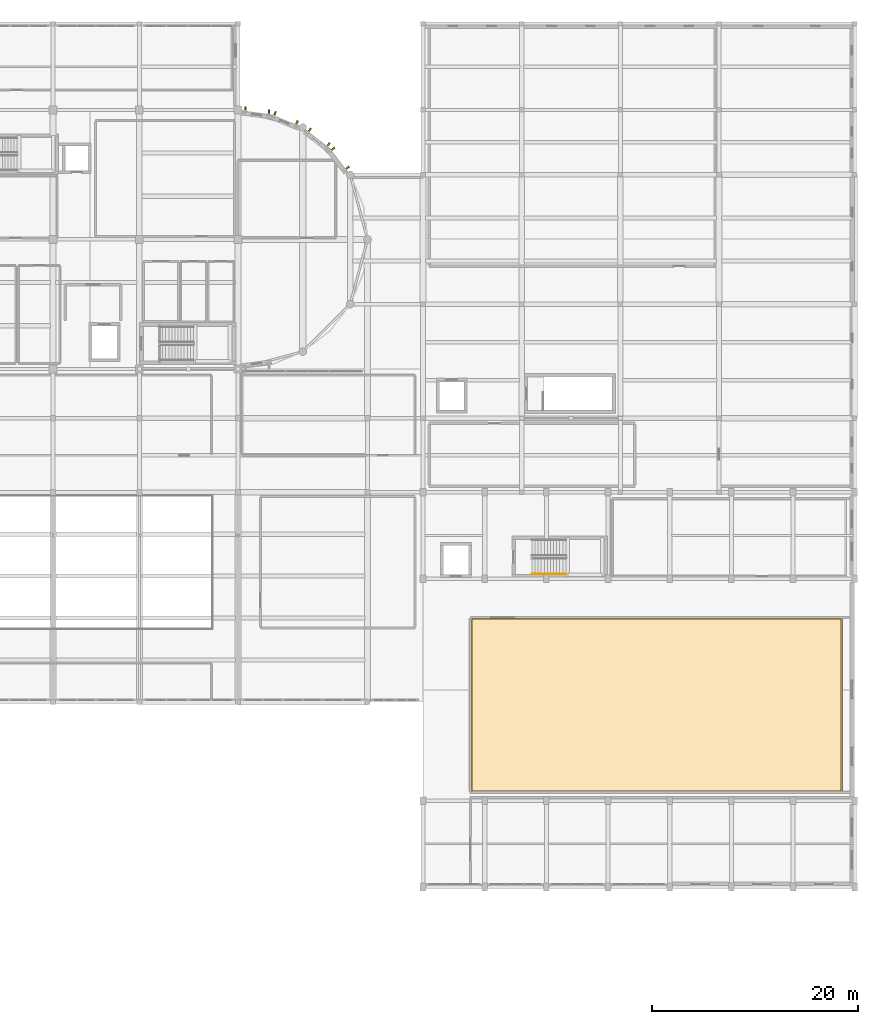
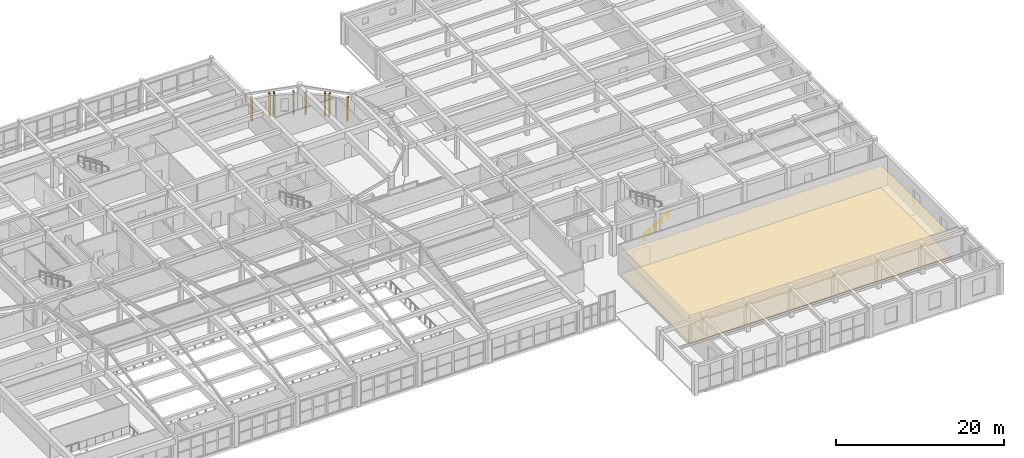
# One storey, part 90 of 91: 10 coverings, 1 railing.
"""IFC4 building model written with IfcOpenShell, lengths in metres."""

import ifcopenshell
import ifcopenshell.guid

model = None  # the IFC model being written
_history = None  # IfcOwnerHistory: only IFC2X3 demands one
_inside = {}  # id of a spatial element -> (the spatial element, [elements in it])
_under = {}  # id of a project, library or spatial element -> (it, [spatial elements below it])
_declared = {}  # id of a project -> (the project, [libraries it declares])
_typed = {}  # id of a type object -> (the type object, [elements of that type])
_made_of = {}  # id of a material, layer set ... -> (it, [elements and type objects made of it])


def new_model(schema):
    """Start an empty IFC model of exactly this schema.

    Asked for "IFC4X3", IfcOpenShell would pick the latest addendum, in which some entities
    have other attributes; the version numbers below select the first issue.
    IFC2X3 requires an IfcOwnerHistory on every rooted entity: one is made here for all.
    """
    global model, _history
    if schema == "IFC4X3":
        model = ifcopenshell.file(schema_version=(4, 3, 0, 0))
    else:
        model = ifcopenshell.file(schema=schema)
    _inside.clear()
    _under.clear()
    _declared.clear()
    _typed.clear()
    _made_of.clear()
    _history = None
    if model.schema == "IFC2X3":
        org = make("IfcOrganization", Name="unknown")
        user = make(
            "IfcPersonAndOrganization",
            ThePerson=make("IfcPerson", FamilyName="unknown"),
            TheOrganization=org,
        )
        app = make(
            "IfcApplication",
            ApplicationDeveloper=org,
            Version="unknown",
            ApplicationFullName="unknown",
            ApplicationIdentifier="unknown",
        )
        _history = make(
            "IfcOwnerHistory",
            OwningUser=user,
            OwningApplication=app,
            ChangeAction="ADDED",
            CreationDate=0,
        )
    return model


def make(cls, **values):
    """One entity of the class cls with the attributes given. An attribute that is None is left unset."""
    return model.create_entity(
        cls, **{name: value for name, value in values.items() if value is not None}
    )


def rooted(cls, **values):
    """An entity with a GlobalId (a new one), such as an element, a storey or a relation."""
    return make(cls, GlobalId=ifcopenshell.guid.new(), OwnerHistory=_history, **values)


def si_unit(unit_type, name, prefix=None):
    """IfcSIUnit, for example si_unit("LENGTHUNIT", "METRE", prefix="MILLI")."""
    return make("IfcSIUnit", UnitType=unit_type, Prefix=prefix, Name=name)


def assignment(units):
    """IfcUnitAssignment: the units of a project."""
    return None if units is None else make("IfcUnitAssignment", Units=units)


def point(xyz):
    """IfcCartesianPoint."""
    return None if xyz is None else make("IfcCartesianPoint", Coordinates=xyz)


def direction(xyz):
    """IfcDirection."""
    return None if xyz is None else make("IfcDirection", DirectionRatios=xyz)


def frame(location, z_axis=None, x_axis=None):
    """IfcAxis2Placement3D, a coordinate frame: its origin and axes. An axis left out is left unset."""
    return make(
        "IfcAxis2Placement3D",
        Location=point(location),
        Axis=direction(z_axis),
        RefDirection=direction(x_axis),
    )


def frame_2d(location, x_axis=None):
    """IfcAxis2Placement2D, a coordinate frame in the plane: its origin and x axis."""
    return make(
        "IfcAxis2Placement2D", Location=point(location), RefDirection=direction(x_axis)
    )


def origin():
    """The frame at (0, 0, 0) with its axes left unset."""
    return frame((0.0, 0.0, 0.0))


def origin_2d():
    """The frame at (0, 0) in the plane with its x axis left unset."""
    return frame_2d((0.0, 0.0))


def place(relative_to, where):
    """IfcLocalPlacement: puts the frame where relative to a parent placement (None: the world)."""
    return make(
        "IfcLocalPlacement", PlacementRelTo=relative_to, RelativePlacement=where
    )


def context(
    kind, dimensions, precision=None, world=None, true_north=None, identifier=None
):
    """IfcGeometricRepresentationContext, for example the 3D "Model" context."""
    return make(
        "IfcGeometricRepresentationContext",
        ContextIdentifier=identifier,
        ContextType=kind,
        CoordinateSpaceDimension=dimensions,
        Precision=precision,
        WorldCoordinateSystem=world,
        TrueNorth=true_north,
    )


def subcontext(parent, identifier, kind, view, scale=None):
    """IfcGeometricRepresentationSubContext, for example "Body" below "Model"."""
    return make(
        "IfcGeometricRepresentationSubContext",
        ContextIdentifier=identifier,
        ContextType=kind,
        ParentContext=parent,
        TargetScale=scale,
        TargetView=view,
    )


def project(units=None, contexts=None):
    """IfcProject with its units and contexts."""
    return rooted(
        "IfcProject",
        Name="project",
        RepresentationContexts=contexts,
        UnitsInContext=assignment(units),
    )


def spatial(cls, under=None, at=None, **own):
    """A site, building, storey or space (cls), placed at a placement, below another one or the project."""
    s = rooted(cls, ObjectPlacement=at, **own)
    if under is not None:
        _under.setdefault(under.id(), (under, []))[1].append(s)
    return s


def polyline(points):
    """IfcPolyline through the points."""
    return make("IfcPolyline", Points=[point(p) for p in points])


def profile(cls, at=None, kind="AREA", **sizes):
    """A parametric profile (cls). Its sizes go by their IFC names, for example OverallWidth=200.0."""
    return make(cls, ProfileType=kind, Position=at, **sizes)


def rectangle(**sizes):
    """IfcRectangleProfileDef."""
    return profile("IfcRectangleProfileDef", **sizes)


def circle(**sizes):
    """IfcCircleProfileDef."""
    return profile("IfcCircleProfileDef", **sizes)


def outline(outer, holes=None, kind="AREA"):
    """IfcArbitraryClosedProfileDef: a profile drawn as a closed curve; with holes, ...WithVoids."""
    if holes is None:
        return make("IfcArbitraryClosedProfileDef", ProfileType=kind, OuterCurve=outer)
    return make(
        "IfcArbitraryProfileDefWithVoids",
        ProfileType=kind,
        OuterCurve=outer,
        InnerCurves=holes,
    )


def extrude(swept, where, along, depth):
    """IfcExtrudedAreaSolid: the profile swept, set in the frame where, extruded along a direction by depth."""
    return make(
        "IfcExtrudedAreaSolid",
        SweptArea=swept,
        Position=where,
        ExtrudedDirection=direction(along),
        Depth=depth,
    )


def shape(context_of_items, identifier, shape_type, items):
    """IfcShapeRepresentation: the items that make up one representation, for example the "Body"."""
    return make(
        "IfcShapeRepresentation",
        ContextOfItems=context_of_items,
        RepresentationIdentifier=identifier,
        RepresentationType=shape_type,
        Items=items,
    )


def material(Name=None, Category=None):
    """IfcMaterial."""
    return make("IfcMaterial", Name=Name, Category=Category)


def layer(
    of_material, thickness, ventilated=None, Name=None, Category=None, Priority=None
):
    """IfcMaterialLayer: one layer of a wall or slab, of a material (None: an air gap)."""
    return make(
        "IfcMaterialLayer",
        Material=of_material,
        LayerThickness=thickness,
        IsVentilated=ventilated,
        Name=Name,
        Category=Category,
        Priority=Priority,
    )


def layer_set(layers, Name=None):
    """IfcMaterialLayerSet."""
    return make("IfcMaterialLayerSet", MaterialLayers=layers, LayerSetName=Name)


def made_of(thing, what):
    """Note that an element or type object is made of a material, layer set ...; save() writes the relation."""
    if what is not None:
        _made_of.setdefault(what.id(), (what, []))[1].append(thing)
    return thing


def type_object(cls, material=None, **own):
    """A type object (cls), such as IfcWallType, which elements share."""
    return made_of(rooted(cls, **own), material)


def element(
    cls,
    number,
    at=None,
    inside=None,
    cuts=None,
    type_object=None,
    material=None,
    context=None,
    identifier="Body",
    shape_type=None,
    held_by="IfcProductDefinitionShape",
    body=None,
    shapes=None,
    **own,
):
    """One element of the class cls, such as IfcWall. Its Tag is "e" and its number.

    at: its placement. inside: the storey or other place that contains it. cuts: it is an
    opening in that element (IfcRelVoidsElement). A single representation is given by context,
    identifier, shape_type and body (its items); several are given by shapes. held_by: the class
    of the entity that holds the representations. save() writes the other relations.
    """
    e = rooted(cls, Tag="e%d" % number, ObjectPlacement=at, **own)
    if body is not None:
        shapes = [shape(context, identifier, shape_type, body)]
    if shapes is not None:
        e.Representation = make(held_by, Representations=shapes)
    if inside is not None:
        _inside.setdefault(inside.id(), (inside, []))[1].append(e)
    if cuts is not None:
        rooted(
            "IfcRelVoidsElement", RelatingBuildingElement=cuts, RelatedOpeningElement=e
        )
    if type_object is not None:
        _typed.setdefault(type_object.id(), (type_object, []))[1].append(e)
    return made_of(e, material)


def aggregate(whole, parts):
    """IfcRelAggregates: a whole, such as a stair, and the parts it consists of."""
    return rooted("IfcRelAggregates", RelatingObject=whole, RelatedObjects=parts)


def save(model, path):
    """Write the relations noted so far, then the file.

    IfcRelAggregates (storeys below a building ...), IfcRelContainedInSpatialStructure (elements
    in a storey), IfcRelDefinesByType, IfcRelAssociatesMaterial and IfcRelDeclares: one each for
    every whole, place, type object, material and project.
    """
    for whole, parts in _under.values():
        aggregate(whole, parts)
    for where, things in _inside.values():
        rooted(
            "IfcRelContainedInSpatialStructure",
            RelatedElements=things,
            RelatingStructure=where,
        )
    for kind, things in _typed.values():
        rooted("IfcRelDefinesByType", RelatedObjects=things, RelatingType=kind)
    for what, things in _made_of.values():
        rooted("IfcRelAssociatesMaterial", RelatedObjects=things, RelatingMaterial=what)
    for by, libraries in _declared.values():
        rooted("IfcRelDeclares", RelatingContext=by, RelatedDefinitions=libraries)
    model.write(path)


model = new_model("IFC4")

# Units and contexts
model_context = context("Model", 3, precision=1e-05, world=origin(), true_north=direction((0.0, 1.0)))
body_context = subcontext(model_context, "Body", "Model", "MODEL_VIEW")
ifc_project = project(units=[si_unit("LENGTHUNIT", "METRE"), si_unit("AREAUNIT", "SQUARE_METRE"), si_unit("VOLUMEUNIT", "CUBIC_METRE"), si_unit("PLANEANGLEUNIT", "RADIAN"), si_unit("MASSUNIT", "GRAM", prefix="KILO")], contexts=[model_context])

# Site, building, storey
site_placement = place(None, origin())
site = spatial("IfcSite", under=ifc_project, at=site_placement, CompositionType="ELEMENT")
building_placement = place(site_placement, origin())
building = spatial("IfcBuilding", under=site, at=building_placement, Name="Tarnavel Promenade Courthouse", CompositionType="ELEMENT")
storey_placement = place(building_placement, frame((0.0, 0.0, 9.89990234375)))
storey = spatial("IfcBuildingStorey", under=building, at=storey_placement, Name="L03", CompositionType="ELEMENT", Elevation=9.89990234375)

# Railing
ifc_material_1 = material(Name="Brushed Bronze Tubular Stair Handrail")
railing_type = type_object("IfcRailingType", Name="Brushed Bronze Tubular Stair Handrail (RL-HND-0900)", PredefinedType="HANDRAIL", material=ifc_material_1)
railing_placement = place(storey_placement, frame((130.60009765625, 59.25, 0.1875)))
element("IfcRailing", 1, at=railing_placement, inside=storey, type_object=railing_type, Name="L03 ST-08 stair handrail 1", PredefinedType="HANDRAIL", context=body_context, shape_type="SweptSolid", body=[
    extrude(circle(Radius=0.02392578125, at=origin_2d()), frame((0.0, 0.0, 0.8759765625), z_axis=(0.847984204989, 0.0, 0.530021497762), x_axis=(0.0, 1.0, 0.0)), (0.0, 0.0, 1.0), 3.891357421875),
    extrude(circle(Radius=0.02099609375, at=origin_2d()), origin(), (0.0, 0.0, 1.0), 0.851806640625),
    extrude(circle(Radius=0.02099609375, at=origin_2d()), frame((0.824951171875, 0.0, 0.515625)), (0.0, 0.0, 1.0), 0.851806640625),
    extrude(circle(Radius=0.02099609375, at=origin_2d()), frame((1.64990234375, 0.0, 1.03125)), (0.0, 0.0, 1.0), 0.851806640625),
    extrude(circle(Radius=0.02099609375, at=origin_2d()), frame((2.474853515625, 0.0, 1.546875)), (0.0, 0.0, 1.0), 0.851806640625),
    extrude(circle(Radius=0.02099609375, at=origin_2d()), frame((3.2998046875, 0.0, 2.0625)), (0.0, 0.0, 1.0), 0.851806640625),
])

# Coverings
ifc_material_2 = material(Name="Engineered Smoked Oak Courtroom & Chambers Parquet")
ifc_layer_1 = layer(ifc_material_2, 0.031982421875)
ifc_layer_set_1 = layer_set([ifc_layer_1], Name="Engineered Smoked Oak Courtroom & Chambers Parquet")
covering_type_1 = type_object("IfcCoveringType", Name="Engineered Smoked Oak Courtroom & Chambers Parquet (COV-FLR-OAK-32)", PredefinedType="FLOORING", material=ifc_layer_set_1)
covering_1_placement = place(storey_placement, origin())
element("IfcCovering", 2, at=covering_1_placement, inside=storey, type_object=covering_type_1, Name="L03 Ceremonial Courtroom Architectural Flooring 0021", PredefinedType="FLOORING", context=body_context, shape_type="SweptSolid", body=[
    extrude(outline(polyline([(124.75, 38.14990234375), (160.64990234375, 38.14990234375), (160.64990234375, 54.85009765625), (124.75, 54.85009765625), (124.75, 38.14990234375)])), origin(), (0.0, 0.0, 1.0), 0.031982421875),
])
ifc_material_3 = material(Name="Patinated Copper-Bronze Fluted Pier Cladding")
ifc_layer_2 = layer(ifc_material_3, 0.52001953125)
ifc_layer_set_2 = layer_set([ifc_layer_2], Name="Patinated Copper-Bronze Fluted Pier Cladding")
covering_type_2 = type_object("IfcCoveringType", Name="Patinated Copper-Bronze Fluted Pier Cladding COV-PIER-520 (520 mm)", PredefinedType="CLADDING", material=ifc_layer_set_2)
for number, where, z_axis, x_axis, name in (
    (3, (112.599853515625, 98.736572265625, 0.000244140625), (0.0, 0.0, 1.0), (-0.608761429009, 0.793353340291, 0.0), "L03 E Drum Fluted Copper Pier 0083"),
    (4, (111.191162109375, 100.572509765625, 0.000244140625), (0.0, 0.0, 1.0), (-0.608761429009, 0.793353340291, 0.0), "L03 E Drum Fluted Copper Pier 0084"),
):
    element("IfcCovering", number, at=place(storey_placement, frame(where, z_axis=z_axis, x_axis=x_axis)), inside=storey, type_object=covering_type_2, Name=name, PredefinedType="CLADDING", context=body_context, shape_type="SweptSolid", body=[
        extrude(rectangle(XDim=0.159912109375, YDim=0.52001953125, at=origin_2d()), origin(), (0.0, 0.0, 1.0), 3.3798828125),
    ])
for number, where, z_axis, x_axis, name in (
    (5, (110.772705078125, 100.9912109375, 0.0), (0.0, 0.0, 1.0), (-0.793353340291, 0.608761429009, 0.0), "L03 E Drum Fluted Copper Pier 0085"),
    (6, (108.9365234375, 102.39990234375, 0.0), (0.0, 0.0, 1.0), (-0.793353340291, 0.608761429009, 0.0), "L03 E Drum Fluted Copper Pier 0086"),
    (7, (107.71142578125, 103.107177734375, 0.0), (0.0, 0.0, 1.0), (-0.923879532511, 0.382683432365, 0.0), "L03 E Drum Fluted Copper Pier 0087"),
    (8, (105.573486328125, 103.992919921875, 0.0), (0.0, 0.0, 1.0), (-0.923879532511, 0.382683432365, 0.0), "L03 E Drum Fluted Copper Pier 0088"),
):
    element("IfcCovering", number, at=place(storey_placement, frame(where, z_axis=z_axis, x_axis=x_axis)), inside=storey, type_object=covering_type_2, Name=name, PredefinedType="CLADDING", context=body_context, shape_type="SweptSolid", body=[
        extrude(rectangle(XDim=0.159912109375, YDim=0.52001953125, at=origin_2d()), origin(), (0.0, 0.0, 1.0), 3.280029296875),
    ])
for number, where, z_axis, x_axis, name in (
    (9, (105.001708984375, 104.14599609375, 0.000244140625), (0.0, 0.0, 1.0), (-0.991444861374, 0.13052619222, 0.0), "L03 E Drum Fluted Copper Pier 0089"),
    (10, (102.707275390625, 104.447998046875, 0.000244140625), (0.0, 0.0, 1.0), (-0.991444861374, 0.13052619222, 0.0), "L03 E Drum Fluted Copper Pier 0090"),
):
    element("IfcCovering", number, at=place(storey_placement, frame(where, z_axis=z_axis, x_axis=x_axis)), inside=storey, type_object=covering_type_2, Name=name, PredefinedType="CLADDING", context=body_context, shape_type="SweptSolid", body=[
        extrude(rectangle(XDim=0.159912109375, YDim=0.52001953125, at=origin_2d()), origin(), (0.0, 0.0, 1.0), 3.3798828125),
    ])
ifc_material_4 = material(Name="Slatted Acoustic White Oak Baffle Ceiling")
ifc_layer_3 = layer(ifc_material_4, 0.06494140625)
ifc_layer_set_3 = layer_set([ifc_layer_3], Name="Slatted Acoustic White Oak Baffle Ceiling")
covering_type_3 = type_object("IfcCoveringType", Name="Slatted Acoustic White Oak Baffle Ceiling (COV-CLG-OAK-65)", PredefinedType="CEILING", material=ifc_layer_set_3)
covering_2_placement = place(storey_placement, frame((0.0, 0.0, 3.03515625)))
element("IfcCovering", 11, at=covering_2_placement, inside=storey, type_object=covering_type_3, Name="L03 Ceremonial Courtroom Acoustic Ceiling 0021", PredefinedType="CEILING", context=body_context, shape_type="SweptSolid", body=[
    extrude(outline(polyline([(124.60009765625, 38.0), (160.800048828125, 38.0), (160.800048828125, 55.0), (124.60009765625, 55.0), (124.60009765625, 38.0)])), origin(), (0.0, 0.0, 1.0), 0.06494140625),
])

save(model, "model.ifc")
